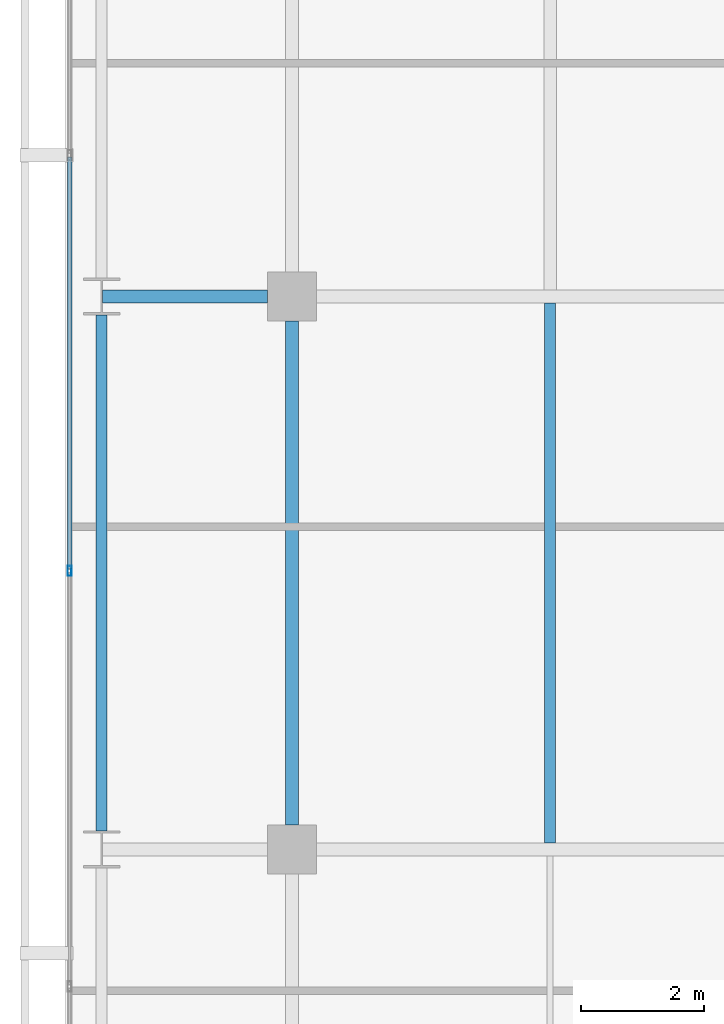
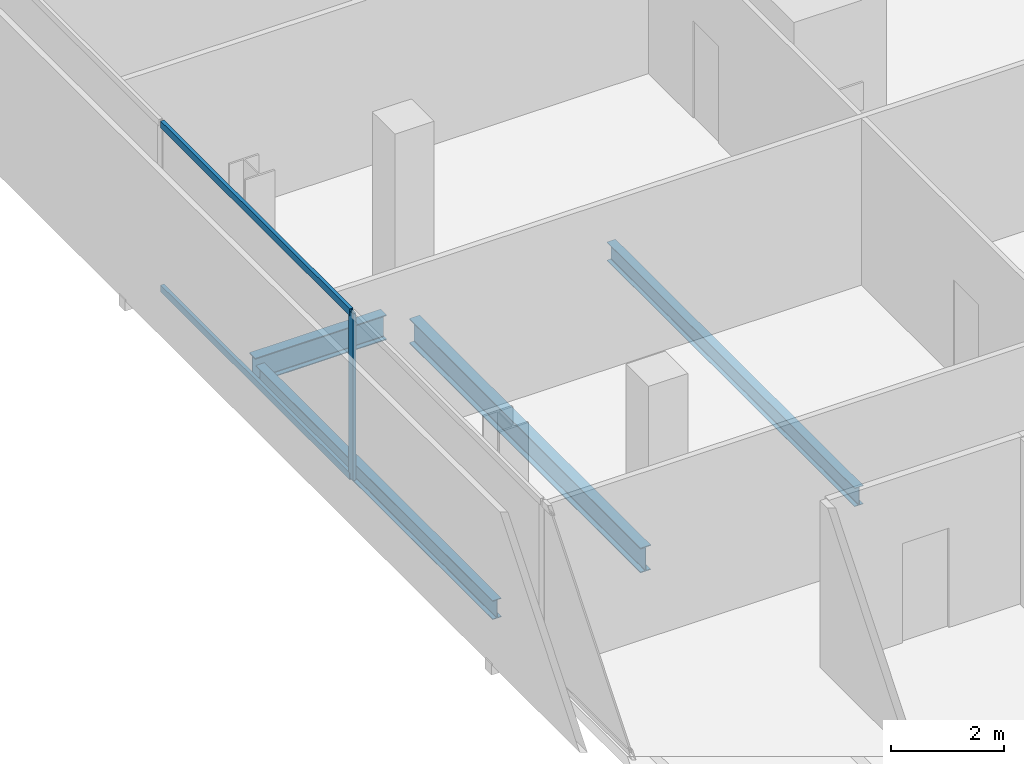
# One storey, part 8 of 33: 4 beams, 3 members, 1 element without a shape of its own.
"""IFC4 building model written with IfcOpenShell, lengths in metres."""

from ifc_helpers import new_model, si_unit, direction, frame, origin, origin_2d, place, context, subcontext, project, spatial, hollow_rectangle, i_section, extrude, material, layer, layer_set, material_profile, profile_set, type_object, element, aggregate, save


model = new_model("IFC4")

# Units and contexts
model_context = context("Model", 3, precision=1e-05, world=origin(), true_north=direction((0.0, 1.0)))
body_context = subcontext(model_context, "Body", "Model", "MODEL_VIEW")
ifc_project = project(units=[si_unit("LENGTHUNIT", "METRE"), si_unit("AREAUNIT", "SQUARE_METRE"), si_unit("VOLUMEUNIT", "CUBIC_METRE"), si_unit("PLANEANGLEUNIT", "RADIAN"), si_unit("MASSUNIT", "GRAM", prefix="KILO")], contexts=[model_context])

# Site, building, storey
site_placement = place(None, origin())
site = spatial("IfcSite", under=ifc_project, at=site_placement, CompositionType="ELEMENT")
building_placement = place(site_placement, origin())
building = spatial("IfcBuilding", under=site, at=building_placement, Name="Maruvema Waterfront Hotel and Observation Tower", CompositionType="ELEMENT")
storey_placement = place(building_placement, frame((0.0, 0.0, 196.699951171875)))
storey = spatial("IfcBuildingStorey", under=building, at=storey_placement, Name="L48", CompositionType="ELEMENT", Elevation=196.699951171875)

# Curtain wall, members
ifc_material_1 = material(Name="Anodised bronze aluminium and solar-control low-E IGU", Category="aluminium")
ifc_layer = layer(ifc_material_1, 0.159912109375, Name="Zone 2 Amber Inner Thermal Curtain Wall System CW-03")
ifc_layer_set = layer_set([ifc_layer], Name="Anodised bronze aluminium and solar-control low-E IGU")
curtain_wall_type = type_object("IfcCurtainWallType", Name="Zone 2 Amber Inner Thermal Curtain Wall System CW-03", PredefinedType="USERDEFINED", material=ifc_layer_set)
curtain_wall_placement = place(storey_placement, origin())
curtain_wall = element("IfcCurtainWall", 1, at=curtain_wall_placement, inside=storey, type_object=curtain_wall_type, Name="L48 Curtain Wall CW-L48-W", ObjectType="UNITISED CURTAIN WALL", PredefinedType="USERDEFINED")
ifc_material_2 = material(Name="Anodised architectural bronze aluminium", Category="aluminium")
ifc_material_profile_1 = material_profile(ifc_material_2, hollow_rectangle(XDim=0.070068359375, YDim=0.14990234375, WallThickness=0.00390625, at=origin_2d()), Name="ALU-T70x150")
ifc_profile_set_1 = profile_set([ifc_material_profile_1], Name="Anodised architectural bronze aluminium")
member_type_1 = type_object("IfcMemberType", Name="Curtain Wall Horizontal Transom ALU-T70x150", PredefinedType="USERDEFINED", material=ifc_profile_set_1)
member_1_placement = place(storey_placement, frame((13.179931640625, 29.27001953125, 0.030029296875), z_axis=(0.0, -1.0, 0.0), x_axis=(1.0, 0.0, 0.0)))
member_1 = element("IfcMember", 2, at=member_1_placement, type_object=member_type_1, Name="CW-03 transom 4.1", ObjectType="TRANSOM", PredefinedType="USERDEFINED", context=body_context, shape_type="SweptSolid", body=[
    extrude(hollow_rectangle(XDim=0.070068359375, YDim=0.14990234375, WallThickness=0.00390625, at=origin_2d()), origin(), (0.0, 0.0, 1.0), 6.706787109375),
])
member_2_placement = place(storey_placement, frame((13.179931640625, 29.27001953125, 3.580078125), z_axis=(0.0, -1.0, 0.0), x_axis=(1.0, 0.0, 0.0)))
member_2 = element("IfcMember", 3, at=member_2_placement, type_object=member_type_1, Name="CW-03 transom 4.2", ObjectType="TRANSOM", PredefinedType="USERDEFINED", context=body_context, shape_type="SweptSolid", body=[
    extrude(hollow_rectangle(XDim=0.070068359375, YDim=0.14990234375, WallThickness=0.00390625, at=origin_2d()), origin(), (0.0, 0.0, 1.0), 6.706787109375),
])
ifc_material_3 = material(Name="Anodised architectural bronze aluminium", Category="aluminium")
ifc_material_profile_2 = material_profile(ifc_material_3, hollow_rectangle(XDim=0.06494140625, YDim=0.1650390625, WallThickness=0.00390625, at=origin_2d()), Name="ALU-M65x165")
ifc_profile_set_2 = profile_set([ifc_material_profile_2], Name="Anodised architectural bronze aluminium")
member_type_2 = type_object("IfcMemberType", Name="Curtain Wall Primary Mullion ALU-M65x165", PredefinedType="MULLION", material=ifc_profile_set_2)
member_3_placement = place(storey_placement, frame((13.179931640625, 22.533447265625, 0.0), z_axis=(0.0, 0.0, 1.0), x_axis=(1.0, 0.0, 0.0)))
member_3 = element("IfcMember", 4, at=member_3_placement, type_object=member_type_2, Name="CW-03 mullion 5", PredefinedType="MULLION", context=body_context, shape_type="SweptSolid", body=[
    extrude(hollow_rectangle(XDim=0.06494140625, YDim=0.1650390625, WallThickness=0.00390625, at=origin_2d()), origin(), (0.0, 0.0, 1.0), 3.610107421875),
])
aggregate(curtain_wall, [member_3, member_1, member_2])

# Beams
ifc_material_4 = material(Name="Steel ASTM A572 Grade 50", Category="steel")
ifc_material_profile_3 = material_profile(ifc_material_4, i_section(OverallWidth=0.178955078125, OverallDepth=0.409912109375, WebThickness=0.0087890625, FlangeThickness=0.014404296875, FilletRadius=0.014892578125, at=origin_2d()), Name="W410x67.0")
ifc_profile_set_3 = profile_set([ifc_material_profile_3], Name="Steel ASTM A572 Grade 50")
beam_type_1 = type_object("IfcBeamType", Name="Perimeter Spandrel Beam W410x67.0", PredefinedType="SPANDREL", material=ifc_profile_set_3)
beam_1_placement = place(storey_placement, frame((13.699951171875, 18.300048828125, -0.445068359375), z_axis=(0.0, 1.0, 0.0), x_axis=(-1.0, 0.0, 0.0)))
element("IfcBeam", 5, at=beam_1_placement, inside=storey, type_object=beam_type_1, Name="L48 Floor Girder NS-02", PredefinedType="SPANDREL", context=body_context, shape_type="SweptSolid", body=[
    extrude(i_section(OverallWidth=0.178955078125, OverallDepth=0.409912109375, WebThickness=0.0087890625, FlangeThickness=0.014404296875, FilletRadius=0.014892578125, at=origin_2d()), origin(), (0.0, 0.0, 1.0), 8.39990234375),
])
ifc_material_5 = material(Name="Steel ASTM A572 Grade 50", Category="steel")
ifc_material_profile_4 = material_profile(ifc_material_5, i_section(OverallWidth=0.2109375, OverallDepth=0.5390625, WebThickness=0.01171875, FlangeThickness=0.018798828125, FilletRadius=0.014892578125, at=origin_2d()), Name="W530x109.0")
ifc_profile_set_4 = profile_set([ifc_material_profile_4], Name="Steel ASTM A572 Grade 50")
beam_type_2 = type_object("IfcBeamType", Name="Primary Floor Girder W530x109.0", PredefinedType="BEAM", material=ifc_profile_set_4)
beam_2_placement = place(storey_placement, frame((13.71240234375, 27.0, -0.509521484375), z_axis=(1.0, 0.0, 0.0), x_axis=(0.0, 1.0, 0.0)))
element("IfcBeam", 6, at=beam_2_placement, inside=storey, type_object=beam_type_2, Name="L48 Floor Girder EW-18", PredefinedType="BEAM", context=body_context, shape_type="SweptSolid", body=[
    extrude(i_section(OverallWidth=0.2109375, OverallDepth=0.5390625, WebThickness=0.01171875, FlangeThickness=0.018798828125, FilletRadius=0.014892578125, at=origin_2d()), origin(), (0.0, 0.0, 1.0), 2.6875),
])
beam_3_placement = place(storey_placement, frame((16.800048828125, 18.39990234375, -0.509521484375), z_axis=(0.0, 1.0, 0.0), x_axis=(-1.0, 0.0, 0.0)))
element("IfcBeam", 7, at=beam_3_placement, inside=storey, type_object=beam_type_2, Name="L48 Floor Girder NS-06", PredefinedType="BEAM", context=body_context, shape_type="SweptSolid", body=[
    extrude(i_section(OverallWidth=0.2109375, OverallDepth=0.5390625, WebThickness=0.01171875, FlangeThickness=0.018798828125, FilletRadius=0.014892578125, at=origin_2d()), origin(), (0.0, 0.0, 1.0), 8.2001953125),
])
ifc_material_6 = material(Name="Steel ASTM A572 Grade 50", Category="steel")
ifc_material_profile_5 = material_profile(ifc_material_6, i_section(OverallWidth=0.177001953125, OverallDepth=0.403076171875, WebThickness=0.007568359375, FlangeThickness=0.010986328125, FilletRadius=0.014892578125, at=origin_2d()), Name="W410x53.0")
ifc_profile_set_5 = profile_set([ifc_material_profile_5], Name="Steel ASTM A572 Grade 50")
beam_type_3 = type_object("IfcBeamType", Name="Secondary Floor Joist W410x53.0", PredefinedType="JOIST", material=ifc_profile_set_5)
beam_4_placement = place(storey_placement, frame((21.0, 18.10546875, -0.44140625), z_axis=(0.0, 1.0, 0.0), x_axis=(-1.0, 0.0, 0.0)))
element("IfcBeam", 8, at=beam_4_placement, inside=storey, type_object=beam_type_3, Name="L48 Secondary Floor Joist JS-02", PredefinedType="JOIST", context=body_context, shape_type="SweptSolid", body=[
    extrude(i_section(OverallWidth=0.177001953125, OverallDepth=0.403076171875, WebThickness=0.007568359375, FlangeThickness=0.010986328125, FilletRadius=0.014892578125, at=origin_2d()), origin(), (0.0, 0.0, 1.0), 8.7890625),
])

save(model, "model.ifc")
